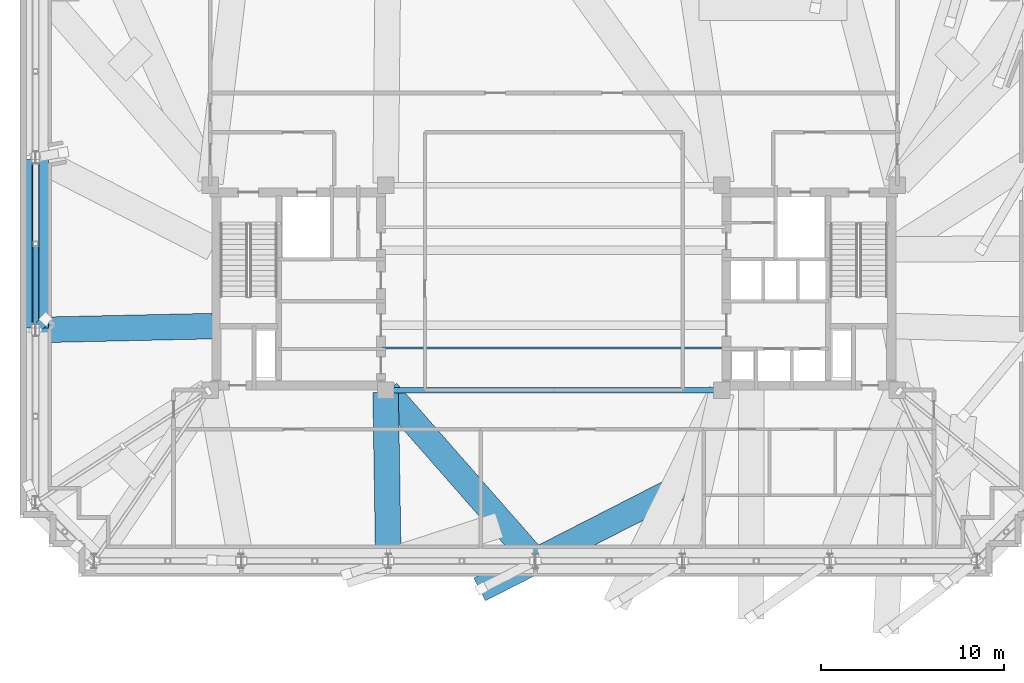
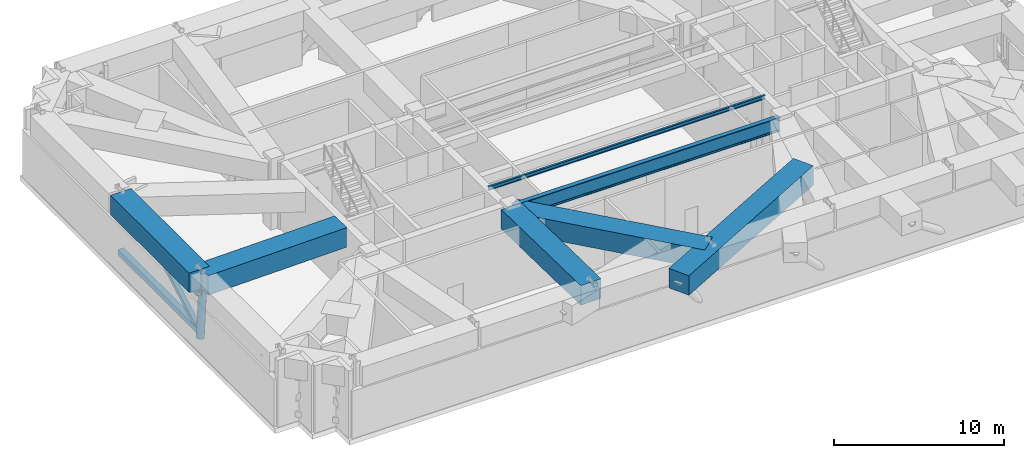
# One storey, part 4 of 18: 7 beams, 4 members.
"""IFC4 building model written with IfcOpenShell, lengths in metres."""

from ifc_helpers import new_model, si_unit, direction, frame, origin, origin_2d, place, context, subcontext, project, spatial, rectangle, hollow_rectangle, hollow_circle, i_section, extrude, material, material_profile, profile_set, type_object, element, save


model = new_model("IFC4")

# Units and contexts
model_context = context("Model", 3, precision=1e-05, world=origin(), true_north=direction((0.0, 1.0)))
body_context = subcontext(model_context, "Body", "Model", "MODEL_VIEW")
ifc_project = project(units=[si_unit("LENGTHUNIT", "METRE"), si_unit("AREAUNIT", "SQUARE_METRE"), si_unit("VOLUMEUNIT", "CUBIC_METRE"), si_unit("PLANEANGLEUNIT", "RADIAN"), si_unit("MASSUNIT", "GRAM", prefix="KILO")], contexts=[model_context])

# Site, building, storey
site_placement = place(None, origin())
site = spatial("IfcSite", under=ifc_project, at=site_placement, CompositionType="ELEMENT")
building_placement = place(site_placement, origin())
building = spatial("IfcBuilding", under=site, at=building_placement, Name="Qobustan Lattice House", CompositionType="ELEMENT")
storey_placement = place(building_placement, frame((0.0, 0.0, 174.550048828125)))
storey = spatial("IfcBuildingStorey", under=building, at=storey_placement, Name="L49", CompositionType="ELEMENT", Elevation=174.550048828125)

# Beams
ifc_material_1 = material(Name="Steel S355", Category="steel")
ifc_material_profile_1 = material_profile(ifc_material_1, i_section(OverallWidth=0.135009765625, OverallDepth=0.27001953125, WebThickness=0.006591796875, FlangeThickness=0.01025390625, FilletRadius=0.014892578125, at=origin_2d()), Name="IPE270")
ifc_profile_set_1 = profile_set([ifc_material_profile_1], Name="Steel S355")
beam_type_1 = type_object("IfcBeamType", Name="BM-JST-IPE270", PredefinedType="JOIST", material=ifc_profile_set_1)
beam_1_placement = place(storey_placement, frame((-9.39990234375, -3.300048828125, 4.68505859375), z_axis=(1.0, 0.0, 0.0), x_axis=(0.0, 1.0, 0.0)))
element("IfcBeam", 1, at=beam_1_placement, inside=storey, type_object=beam_type_1, Name="L49 central span floor joist 1", PredefinedType="JOIST", context=body_context, shape_type="SweptSolid", body=[
    extrude(i_section(OverallWidth=0.135009765625, OverallDepth=0.27001953125, WebThickness=0.006591796875, FlangeThickness=0.01025390625, FilletRadius=0.014892578125, at=origin_2d()), origin(), (0.0, 0.0, 1.0), 18.7998046875),
])
ifc_material_2 = material(Name="Steel S355", Category="steel")
ifc_material_profile_2 = material_profile(ifc_material_2, i_section(OverallWidth=0.302001953125, OverallDepth=1.008056640625, WebThickness=0.02099609375, FlangeThickness=0.0400390625, FilletRadius=0.030029296875, at=origin_2d()), Name="HEM1000")
ifc_profile_set_2 = profile_set([ifc_material_profile_2], Name="Steel S355")
beam_type_2 = type_object("IfcBeamType", Name="BM-TRG-HEM1000", PredefinedType="USERDEFINED", material=ifc_profile_set_2)
beam_2_placement = place(storey_placement, frame((-9.050048828125, -5.60009765625, 4.31591796875), z_axis=(1.0, 0.0, 0.0), x_axis=(0.0, 1.0, 0.0)))
element("IfcBeam", 2, at=beam_2_placement, inside=storey, type_object=beam_type_2, Name="L49 core spine girder CG-CS", ObjectType="GIRDER", PredefinedType="USERDEFINED", context=body_context, shape_type="SweptSolid", body=[
    extrude(i_section(OverallWidth=0.302001953125, OverallDepth=1.008056640625, WebThickness=0.02099609375, FlangeThickness=0.0400390625, FilletRadius=0.030029296875, at=origin_2d()), origin(), (0.0, 0.0, 1.0), 18.10009765625),
])
ifc_material_3 = material(Name="Concrete C60/75", Category="concrete")
ifc_material_profile_3 = material_profile(ifc_material_3, rectangle(XDim=1.39990234375, YDim=1.39990234375, at=origin_2d()), Name="RC1400x1400")
ifc_profile_set_3 = profile_set([ifc_material_profile_3], Name="Concrete C60/75")
beam_type_3 = type_object("IfcBeamType", Name="BM-TRG-RC1400", PredefinedType="USERDEFINED", material=ifc_profile_set_3)
beam_3_placement = place(storey_placement, frame((-28.35009765625, 7.0166015625, 4.119873046875), z_axis=(0.0, -1.0, 0.0), x_axis=(1.0, 0.0, 0.0)))
element("IfcBeam", 3, at=beam_3_placement, inside=storey, type_object=beam_type_3, Name="L49 TT3 lower perimeter transfer girder W2-W3", ObjectType="GIRDER", PredefinedType="USERDEFINED", context=body_context, shape_type="SweptSolid", body=[
    extrude(rectangle(XDim=1.39990234375, YDim=1.39990234375, at=origin_2d()), origin(), (0.0, 0.0, 1.0), 9.2333984375),
])
beam_4_placement = place(storey_placement, frame((-9.197998046875, -5.719970703125, 4.119873046875), z_axis=(0.016023669421, -0.999871612768, 0.0), x_axis=(0.999871612768, 0.016023669421, 0.0)))
element("IfcBeam", 4, at=beam_4_placement, inside=storey, type_object=beam_type_3, Name="L49 TT3 radial transfer girder S3", ObjectType="GIRDER", PredefinedType="USERDEFINED", context=body_context, shape_type="SweptSolid", body=[
    extrude(rectangle(XDim=1.39990234375, YDim=1.39990234375, at=origin_2d()), origin(), (0.0, 0.0, 1.0), 9.111328125),
])
beam_5_placement = place(storey_placement, frame((-9.120849609375, -5.690185546875, 4.119873046875), z_axis=(0.659353068345, -0.751833446492, 0.0), x_axis=(0.751833446492, 0.659353068345, 0.0)))
element("IfcBeam", 5, at=beam_5_placement, inside=storey, type_object=beam_type_3, Name="L49 TT3 radial transfer girder S4", ObjectType="GIRDER", PredefinedType="USERDEFINED", context=body_context, shape_type="SweptSolid", body=[
    extrude(rectangle(XDim=1.39990234375, YDim=1.39990234375, at=origin_2d()), origin(), (0.0, 0.0, 1.0), 12.196533203125),
])
beam_6_placement = place(storey_placement, frame((-18.669921875, -2.102783203125, 4.119873046875), z_axis=(-0.99975610533, -0.02208460675, 0.0), x_axis=(0.02208460675, -0.99975610533, 0.0)))
element("IfcBeam", 6, at=beam_6_placement, inside=storey, type_object=beam_type_3, Name="L49 TT3 radial transfer girder W3", ObjectType="GIRDER", PredefinedType="USERDEFINED", context=body_context, shape_type="SweptSolid", body=[
    extrude(rectangle(XDim=1.39990234375, YDim=1.39990234375, at=origin_2d()), origin(), (0.0, 0.0, 1.0), 9.5625),
])
beam_7_placement = place(storey_placement, frame((7.92626953125, -10.3876953125, 4.119873046875), z_axis=(-0.890441379861, -0.455097955425, 0.0), x_axis=(0.455097955425, -0.890441379861, 0.0)))
element("IfcBeam", 7, at=beam_7_placement, inside=storey, type_object=beam_type_3, Name="L49 TT3 primary column transfer girder S4", ObjectType="GIRDER", PredefinedType="USERDEFINED", context=body_context, shape_type="SweptSolid", body=[
    extrude(rectangle(XDim=1.39990234375, YDim=1.39990234375, at=origin_2d()), origin(), (0.0, 0.0, 1.0), 13.458740234375),
])

# Members
ifc_material_4 = material(Name="Steel S355", Category="steel")
ifc_material_profile_4 = material_profile(ifc_material_4, hollow_rectangle(XDim=0.300048828125, YDim=0.300048828125, WallThickness=0.01611328125, at=origin_2d()), Name="SHS300x300x16")
ifc_profile_set_4 = profile_set([ifc_material_profile_4], Name="Steel S355")
member_type_1 = type_object("IfcMemberType", Name="MEM-BRC-SHS300", PredefinedType="BRACE", material=ifc_profile_set_4)
member_1_placement = place(storey_placement, frame((-28.35009765625, 2.39990234375, 3.139892578125), z_axis=(0.0, -0.872144001092, -0.489249263013), x_axis=(1.0, 0.0, 0.0)))
element("IfcMember", 8, at=member_1_placement, inside=storey, type_object=member_type_1, Name="L49 TT3 belt truss web diagonal W2-W3 B", PredefinedType="BRACE", context=body_context, shape_type="SweptSolid", body=[
    extrude(hollow_rectangle(XDim=0.300048828125, YDim=0.300048828125, WallThickness=0.01611328125, at=origin_2d()), origin(), (0.0, 0.0, 1.0), 5.29345703125),
])
ifc_material_5 = material(Name="Steel S355", Category="steel")
ifc_material_profile_5 = material_profile(ifc_material_5, hollow_rectangle(XDim=0.35009765625, YDim=0.35009765625, WallThickness=0.01611328125, at=origin_2d()), Name="SHS350x350x16")
ifc_profile_set_5 = profile_set([ifc_material_profile_5], Name="Steel S355")
member_type_2 = type_object("IfcMemberType", Name="MEM-CHD-SHS350", PredefinedType="CHORD", material=ifc_profile_set_5)
member_2_placement = place(storey_placement, frame((-28.35009765625, 7.0166015625, 3.139892578125), z_axis=(0.0, -1.0, 0.0), x_axis=(1.0, 0.0, 0.0)))
element("IfcMember", 9, at=member_2_placement, inside=storey, type_object=member_type_2, Name="L49 TT3 belt truss top chord W2-W3", PredefinedType="CHORD", context=body_context, shape_type="SweptSolid", body=[
    extrude(hollow_rectangle(XDim=0.35009765625, YDim=0.35009765625, WallThickness=0.01611328125, at=origin_2d()), origin(), (0.0, 0.0, 1.0), 9.2333984375),
])
ifc_material_6 = material(Name="Steel S355", Category="steel")
ifc_material_profile_6 = material_profile(ifc_material_6, hollow_rectangle(XDim=0.39990234375, YDim=0.39990234375, WallThickness=0.02001953125, at=origin_2d()), Name="SHS400x400x20")
ifc_profile_set_6 = profile_set([ifc_material_profile_6], Name="Steel S355")
member_type_3 = type_object("IfcMemberType", Name="MEM-CHD-SHS400", PredefinedType="CHORD", material=ifc_profile_set_6)
member_3_placement = place(storey_placement, frame((-28.35009765625, 7.0166015625, 0.550048828125), z_axis=(0.0, -1.0, 0.0), x_axis=(1.0, 0.0, 0.0)))
element("IfcMember", 10, at=member_3_placement, inside=storey, type_object=member_type_3, Name="L49 TT3 belt truss bottom chord W2-W3", PredefinedType="CHORD", context=body_context, shape_type="SweptSolid", body=[
    extrude(hollow_rectangle(XDim=0.39990234375, YDim=0.39990234375, WallThickness=0.02001953125, at=origin_2d()), origin(), (0.0, 0.0, 1.0), 9.2333984375),
])
ifc_material_7 = material(Name="Steel S355", Category="steel")
ifc_material_profile_7 = material_profile(ifc_material_7, hollow_circle(Radius=0.25390625, WallThickness=0.02001953125, at=origin_2d()), Name="CHS508x20")
ifc_profile_set_7 = profile_set([ifc_material_profile_7], Name="Steel S355")
member_type_4 = type_object("IfcMemberType", Name="MEM-STR-CHS508", PredefinedType="STRUT", material=ifc_profile_set_7)
member_4_placement = place(storey_placement, frame((-28.35009765625, -2.316650390625, 0.014892578125), z_axis=(0.133624746256, 0.14278192005, 0.980692485183), x_axis=(-0.730132200904, 0.683305911875, 0.0)))
element("IfcMember", 11, at=member_4_placement, inside=storey, type_object=member_type_4, Name="L49 TT3 column transfer strut W3", PredefinedType="STRUT", context=body_context, shape_type="SweptSolid", body=[
    extrude(hollow_circle(Radius=0.25390625, WallThickness=0.02001953125, at=origin_2d()), origin(), (0.0, 0.0, 1.0), 4.185791015625),
])

save(model, "model.ifc")
